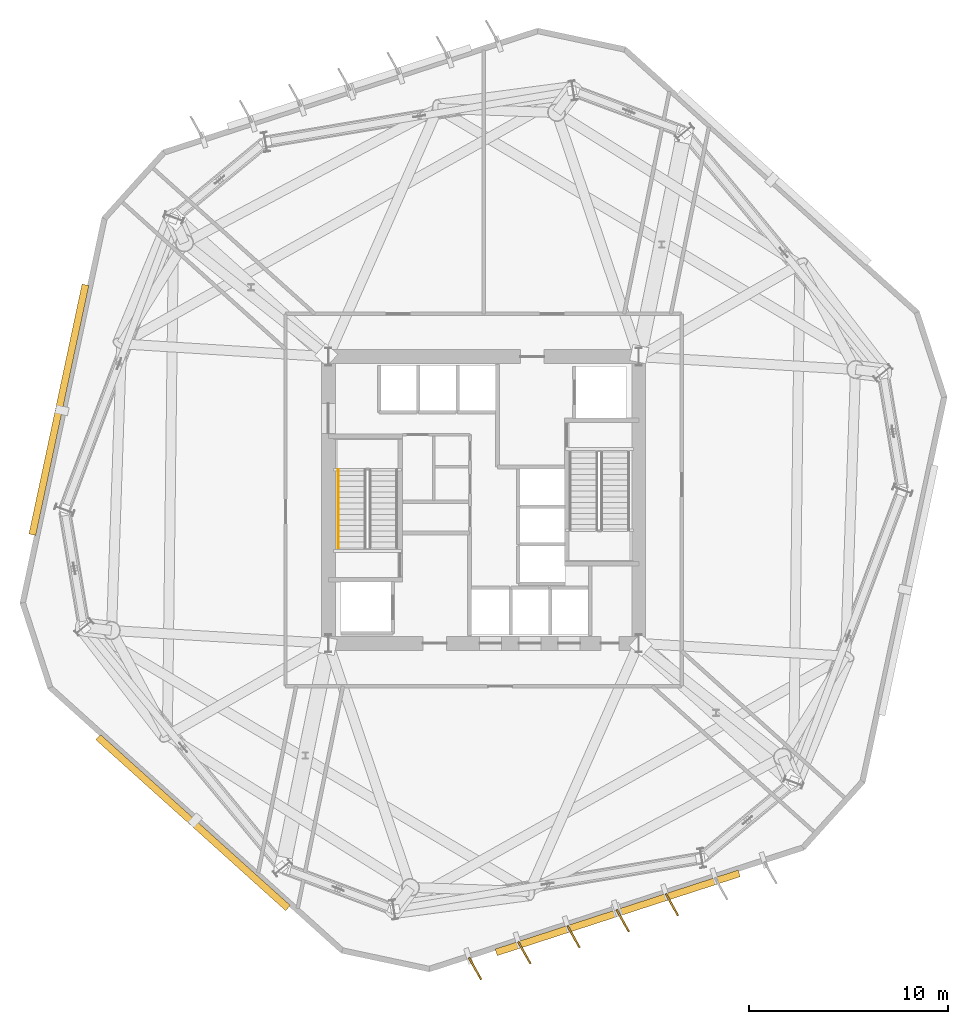
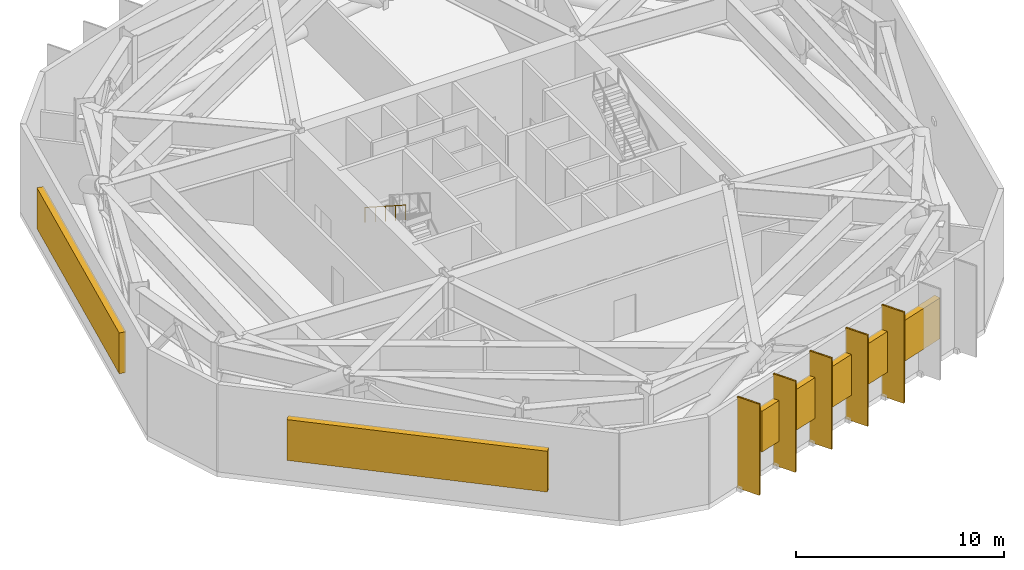
# One storey, part 10 of 12: 8 shading devices, 5 coverings, 1 railing.
"""IFC4 building model written with IfcOpenShell, lengths in metres."""

from ifc_helpers import new_model, si_unit, direction, frame, origin, origin_2d, place, context, subcontext, project, spatial, rectangle, circle, extrude, material, layer, layer_set, type_object, element, save


model = new_model("IFC4")

# Units and contexts
model_context = context("Model", 3, precision=1e-05, world=origin(), true_north=direction((0.0, 1.0)))
body_context = subcontext(model_context, "Body", "Model", "MODEL_VIEW")
ifc_project = project(units=[si_unit("LENGTHUNIT", "METRE"), si_unit("AREAUNIT", "SQUARE_METRE"), si_unit("VOLUMEUNIT", "CUBIC_METRE"), si_unit("PLANEANGLEUNIT", "RADIAN"), si_unit("MASSUNIT", "GRAM", prefix="KILO")], contexts=[model_context])

# Site, building, storey
site_placement = place(None, origin())
site = spatial("IfcSite", under=ifc_project, at=site_placement, CompositionType="ELEMENT")
building_placement = place(site_placement, origin())
building = spatial("IfcBuilding", under=site, at=building_placement, Name="Kranzbogen Civic Tower", CompositionType="ELEMENT")
storey_placement = place(building_placement, frame((0.0, 0.0, 92.0)))
storey = spatial("IfcBuildingStorey", under=building, at=storey_placement, Name="L22", CompositionType="ELEMENT", Elevation=92.0)

# Coverings
ifc_material_1 = material(Name="Pale Anodised Aluminium", Category="aluminium")
ifc_layer = layer(ifc_material_1, 0.02490234375, Name="Pale Anodised Aluminium")
ifc_layer_set = layer_set([ifc_layer], Name="Pale Anodised Aluminium")
covering_type = type_object("IfcCoveringType", Name="Anodised Aluminium Vertical Fin Cladding 25 mm", PredefinedType="CLADDING", material=ifc_layer_set)
for number, where, z_axis, x_axis, name in (
    (1, (24.576904296875, 1.452880859375, -0.14013671875), (0.0, 0.0, 1.0), (0.487524445167, -0.873109337577, 0.0), "L22 vertical fin pale-metal cladding F5-1"),
    (2, (27.049072265625, 2.257080078125, -0.14013671875), (0.0, 0.0, 1.0), (0.487524445167, -0.873109337577, 0.0), "L22 vertical fin pale-metal cladding F5-2"),
    (3, (29.52197265625, 3.06005859375, -0.14013671875), (0.0, 0.0, 1.0), (0.487524445167, -0.873109337577, 0.0), "L22 vertical fin pale-metal cladding F5-3"),
    (4, (31.9951171875, 3.864013671875, -0.14013671875), (0.0, 0.0, 1.0), (0.487524445167, -0.873109337577, 0.0), "L22 vertical fin pale-metal cladding F5-4"),
    (5, (34.467041015625, 4.6669921875, -0.14013671875), (0.0, 0.0, 1.0), (0.487524445167, -0.873109337577, 0.0), "L22 vertical fin pale-metal cladding F5-5"),
):
    element("IfcCovering", number, at=place(storey_placement, frame(where, z_axis=z_axis, x_axis=x_axis)), inside=storey, type_object=covering_type, Name=name, PredefinedType="CLADDING", context=body_context, shape_type="SweptSolid", body=[
        extrude(rectangle(XDim=1.25, YDim=0.10009765625, at=origin_2d()), origin(), (0.0, 0.0, 1.0), 5.360107421875),
    ])

# Shading devices
ifc_material_2 = material(Name="Anodised Bronze Aluminium", Category="aluminium")
shading_device_type_1 = type_object("IfcShadingDeviceType", Name="Anodised Bronze Vertical Facade Fin 1250x80", PredefinedType="USERDEFINED", material=ifc_material_2)
for number, where, z_axis, x_axis, name in (
    (6, (24.576904296875, 1.452880859375, -0.14013671875), (0.0, 0.0, 1.0), (0.487524445167, -0.873109337577, 0.0), "L22 vertical exterior shading fin F5-1"),
    (7, (27.049072265625, 2.257080078125, -0.14013671875), (0.0, 0.0, 1.0), (0.487524445167, -0.873109337577, 0.0), "L22 vertical exterior shading fin F5-2"),
    (8, (29.52197265625, 3.06005859375, -0.14013671875), (0.0, 0.0, 1.0), (0.487524445167, -0.873109337577, 0.0), "L22 vertical exterior shading fin F5-3"),
    (9, (31.9951171875, 3.864013671875, -0.14013671875), (0.0, 0.0, 1.0), (0.487524445167, -0.873109337577, 0.0), "L22 vertical exterior shading fin F5-4"),
    (10, (34.467041015625, 4.6669921875, -0.14013671875), (0.0, 0.0, 1.0), (0.487524445167, -0.873109337577, 0.0), "L22 vertical exterior shading fin F5-5"),
):
    element("IfcShadingDevice", number, at=place(storey_placement, frame(where, z_axis=z_axis, x_axis=x_axis)), inside=storey, type_object=shading_device_type_1, Name=name, ObjectType="FIN", PredefinedType="USERDEFINED", context=body_context, shape_type="SweptSolid", body=[
        extrude(rectangle(XDim=1.25, YDim=0.080078125, at=origin_2d()), origin(), (0.0, 0.0, 1.0), 5.360107421875),
    ])
shading_device_type_2 = type_object("IfcShadingDeviceType", Name="Plant Band Acoustic Weather Louvre Module", PredefinedType="USERDEFINED", material=ifc_material_1)
shading_device_1_placement = place(storey_placement, frame((3.6640625, 29.534912109375, 1.3701171875), z_axis=(0.0, 0.0, 1.0), x_axis=(-0.207860474844, -0.978158485624, 0.0)))
element("IfcShadingDevice", 11, at=shading_device_1_placement, inside=storey, type_object=shading_device_type_2, Name="L22 acoustic intake louvre 3", ObjectType="LOUVRE", PredefinedType="USERDEFINED", context=body_context, shape_type="SweptSolid", body=[
    extrude(rectangle(XDim=12.833740234375, YDim=0.35009765625, at=origin_2d()), origin(), (0.0, 0.0, 1.0), 2.39990234375),
])
shading_device_2_placement = place(storey_placement, frame((10.404052734375, 8.791015625, 1.3701171875), z_axis=(0.0, 0.0, 1.0), x_axis=(0.743156503896, -0.669117635933, 0.0)))
element("IfcShadingDevice", 12, at=shading_device_2_placement, inside=storey, type_object=shading_device_type_2, Name="L22 acoustic intake louvre 4", ObjectType="LOUVRE", PredefinedType="USERDEFINED", context=body_context, shape_type="SweptSolid", body=[
    extrude(rectangle(XDim=12.83447265625, YDim=0.35009765625, at=origin_2d()), origin(), (0.0, 0.0, 1.0), 2.39990234375),
])
shading_device_3_placement = place(storey_placement, frame((31.739990234375, 4.2548828125, 1.3701171875), z_axis=(0.0, 0.0, 1.0), x_axis=(0.951045728988, 0.309050192322, 0.0)))
element("IfcShadingDevice", 13, at=shading_device_3_placement, inside=storey, type_object=shading_device_type_2, Name="L22 acoustic intake louvre 5", ObjectType="LOUVRE", PredefinedType="USERDEFINED", context=body_context, shape_type="SweptSolid", body=[
    extrude(rectangle(XDim=12.833984375, YDim=0.35009765625, at=origin_2d()), origin(), (0.0, 0.0, 1.0), 2.39990234375),
])

# Railing
railing_type = type_object("IfcRailingType", Name="Tubular Stainless Stair Wall Handrail 900", PredefinedType="HANDRAIL", material=ifc_material_1)
railing_placement = place(storey_placement, frame((17.699951171875, 26.52001953125, 2.8798828125)))
element("IfcRailing", 14, at=railing_placement, inside=storey, type_object=railing_type, Name="L22 ST-T1 stair handrail 2", PredefinedType="HANDRAIL", context=body_context, shape_type="SweptSolid", body=[
    extrude(circle(Radius=0.02392578125, at=origin_2d()), frame((0.0, 0.0, 0.8759765625), z_axis=(0.0, -0.841171666519, 0.540768182723), x_axis=(1.0, 0.0, 0.0)), (0.0, 0.0, 1.0), 4.66015625),
    extrude(circle(Radius=0.02099609375, at=origin_2d()), origin(), (0.0, 0.0, 1.0), 0.851806640625),
    extrude(circle(Radius=0.02099609375, at=origin_2d()), frame((0.0, -0.97998046875, 0.6298828125)), (0.0, 0.0, 1.0), 0.851806640625),
    extrude(circle(Radius=0.02099609375, at=origin_2d()), frame((0.0, -1.9599609375, 1.260009765625)), (0.0, 0.0, 1.0), 0.851806640625),
    extrude(circle(Radius=0.02099609375, at=origin_2d()), frame((0.0, -2.93994140625, 1.89013671875)), (0.0, 0.0, 1.0), 0.851806640625),
    extrude(circle(Radius=0.02099609375, at=origin_2d()), frame((0.0, -3.919921875, 2.52001953125)), (0.0, 0.0, 1.0), 0.851806640625),
])

save(model, "model.ifc")
